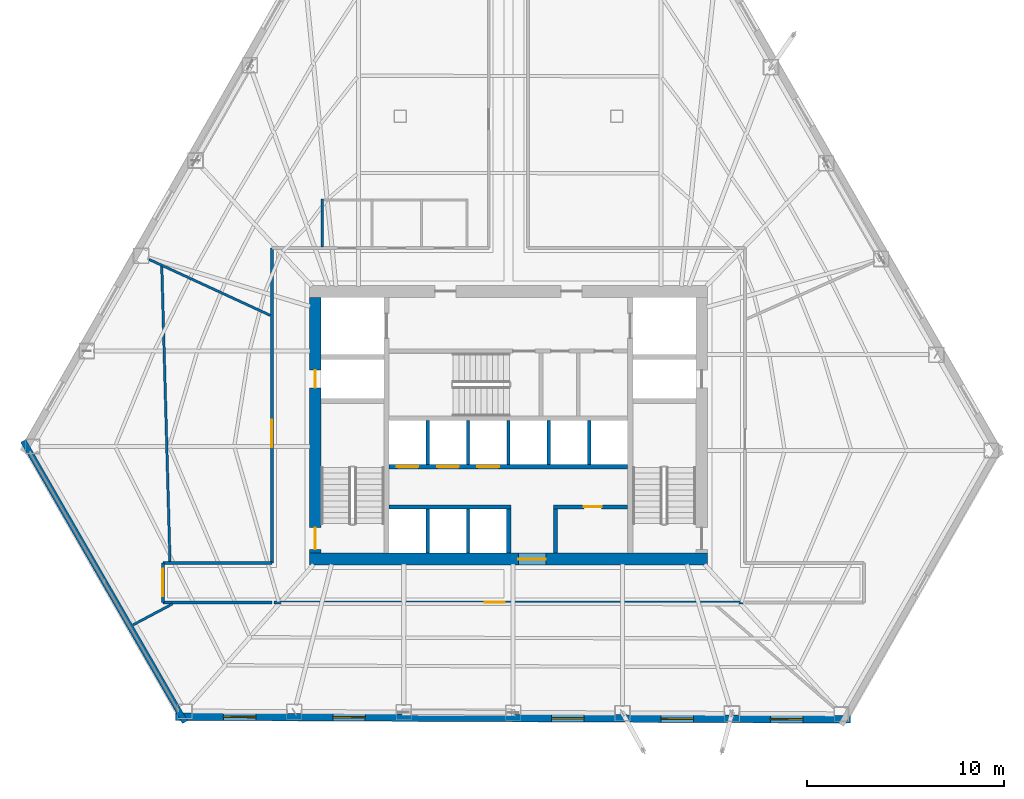
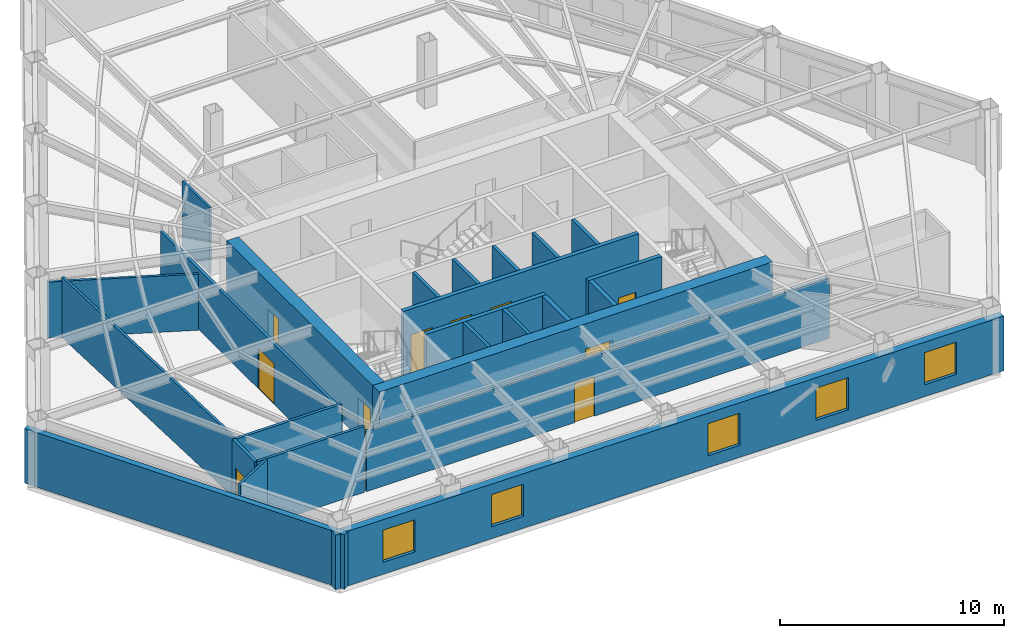
# One storey, part 9 of 13: 25 walls, 10 doors, 5 windows, 15 openings.
"""IFC4 building model written with IfcOpenShell, lengths in metres."""

from ifc_helpers import new_model, si_unit, direction, frame, frame_2d, origin, place, context, subcontext, project, spatial, rectangle, extrude, material, layer, layer_set, type_object, element, fill, save


model = new_model("IFC4")

# Units and contexts
model_context = context("Model", 3, precision=1e-05, world=origin(), true_north=direction((0.0, 1.0)))
body_context = subcontext(model_context, "Body", "Model", "MODEL_VIEW")
ifc_project = project(units=[si_unit("LENGTHUNIT", "METRE"), si_unit("AREAUNIT", "SQUARE_METRE"), si_unit("VOLUMEUNIT", "CUBIC_METRE"), si_unit("PLANEANGLEUNIT", "RADIAN"), si_unit("MASSUNIT", "GRAM", prefix="KILO")], contexts=[model_context])

# Site, building, storey
site_placement = place(None, origin())
site = spatial("IfcSite", under=ifc_project, at=site_placement, CompositionType="ELEMENT")
building_placement = place(site_placement, origin())
building = spatial("IfcBuilding", under=site, at=building_placement, Name="Kavelnor Concourse Tower", CompositionType="ELEMENT")
storey_placement = place(building_placement, frame((0.0, 0.0, 36.800048828125)))
storey = spatial("IfcBuildingStorey", under=building, at=storey_placement, Name="L09", CompositionType="ELEMENT", Elevation=36.800048828125)

# Wall, opening, door
ifc_material_1 = material(Name="Concrete C60/75", Category="concrete")
ifc_layer_1 = layer(ifc_material_1, 0.60009765625, Name="Concrete C60/75")
ifc_layer_set_1 = layer_set([ifc_layer_1], Name="Concrete C60/75")
wall_type_1 = type_object("IfcWallType", Name="WL-CORE-Z1-600", PredefinedType="SOLIDWALL", material=ifc_layer_set_1)
wall_1_placement = place(storey_placement, frame((27.8798828125, 9.300048828125, 0.0), z_axis=(0.0, 0.0, 1.0), x_axis=(1.0, 0.0, 0.0)))
wall_1 = element("IfcWall", 1, at=wall_1_placement, inside=storey, type_object=wall_type_1, Name="L09 Central Core South Shear Wall", PredefinedType="SOLIDWALL", context=body_context, shape_type="SweptSolid", body=[
    extrude(rectangle(XDim=20.240234375, YDim=0.60009765625, at=frame_2d((10.1201171875, 0.0))), origin(), (0.0, 0.0, 1.0), 3.58984375),
])
opening_1_placement = place(wall_1_placement, frame((10.6201171875, 0.0, 0.0)))
opening_1 = element("IfcOpeningElement", 2, at=opening_1_placement, cuts=wall_1, Name="Opening SD-140", PredefinedType="OPENING", context=body_context, shape_type="SweptSolid", body=[
    extrude(rectangle(XDim=1.39990234375, YDim=2.199951171875, at=frame_2d((0.699951171875, 1.10009765625))), frame((0.0, 0.31005859375, 0.0), z_axis=(0.0, -1.0, 0.0), x_axis=(1.0, 0.0, 0.0)), (0.0, 0.0, 1.0), 0.6201171875),
])
ifc_material_2 = material(Name="Solid-core hardwood timber", Category="wood")
door_type_1 = type_object("IfcDoorType", Name="DR-SUITE-ENTRY-1400", OperationType="NOTDEFINED", PredefinedType="DOOR", material=ifc_material_2)
door_1_placement = place(opening_1_placement, origin())
door_1 = element("IfcDoor", 3, at=door_1_placement, inside=storey, type_object=door_type_1, Name="L09 Passenger Lift Lobby Entry Door", OperationType="SINGLE_SWING_RIGHT", OverallHeight=2.199951171875, OverallWidth=1.39990234375, PredefinedType="DOOR", context=body_context, shape_type="SweptSolid", body=[
    extrude(rectangle(XDim=1.39990234375, YDim=2.199951171875, at=frame_2d((0.699951171875, 1.10009765625))), frame((0.0, 0.02490234375, 0.0), z_axis=(0.0, -1.0, 0.0), x_axis=(1.0, 0.0, 0.0)), (0.0, 0.0, 1.0), 0.050048828125),
])
fill(opening_1, door_1)

# Wall, openings, doors
wall_2_placement = place(storey_placement, frame((28.179931640625, 9.60009765625, 0.0), z_axis=(0.0, 0.0, 1.0), x_axis=(0.0, 1.0, 0.0)))
wall_2 = element("IfcWall", 4, at=wall_2_placement, inside=storey, type_object=wall_type_1, Name="L09 Central Core West Shear Wall", PredefinedType="SOLIDWALL", context=body_context, shape_type="SweptSolid", body=[
    extrude(rectangle(XDim=13.0, YDim=0.60009765625, at=frame_2d((6.5, 0.0))), origin(), (0.0, 0.0, 1.0), 3.58984375),
])
opening_2_placement = place(wall_2_placement, frame((0.199951171875, 0.0, 0.0)))
opening_2 = element("IfcOpeningElement", 5, at=opening_2_placement, cuts=wall_2, Name="Opening FD-110", PredefinedType="OPENING", context=body_context, shape_type="SweptSolid", body=[
    extrude(rectangle(XDim=1.10009765625, YDim=2.14990234375, at=frame_2d((0.550048828125, 1.074951171875))), frame((0.0, 0.31005859375, 0.0), z_axis=(0.0, -1.0, 0.0), x_axis=(1.0, 0.0, 0.0)), (0.0, 0.0, 1.0), 0.6201171875),
])
opening_3_placement = place(wall_2_placement, frame((8.39990234375, 0.0, 0.0)))
opening_3 = element("IfcOpeningElement", 6, at=opening_3_placement, cuts=wall_2, Name="Opening FD-090", PredefinedType="OPENING", context=body_context, shape_type="SweptSolid", body=[
    extrude(rectangle(XDim=0.89990234375, YDim=2.10009765625, at=frame_2d((0.449951171875, 1.050048828125))), frame((0.0, 0.31005859375, 0.0), z_axis=(0.0, -1.0, 0.0), x_axis=(1.0, 0.0, 0.0)), (0.0, 0.0, 1.0), 0.6201171875),
])
ifc_material_3 = material(Name="Steel Grade 350", Category="steel")
door_type_2 = type_object("IfcDoorType", Name="DR-RISER-FIRE-900", OperationType="NOTDEFINED", PredefinedType="DOOR", material=ifc_material_3)
door_2_placement = place(opening_3_placement, origin())
door_2 = element("IfcDoor", 7, at=door_2_placement, inside=storey, type_object=door_type_2, Name="L09 West Riser Access Door", OperationType="SINGLE_SWING_RIGHT", OverallHeight=2.10009765625, OverallWidth=0.89990234375, PredefinedType="DOOR", context=body_context, shape_type="SweptSolid", body=[
    extrude(rectangle(XDim=0.89990234375, YDim=2.10009765625, at=frame_2d((0.449951171875, 1.050048828125))), frame((0.0, 0.02490234375, 0.0), z_axis=(0.0, -1.0, 0.0), x_axis=(1.0, 0.0, 0.0)), (0.0, 0.0, 1.0), 0.050048828125),
])
fill(opening_3, door_2)
door_type_3 = type_object("IfcDoorType", Name="DR-STAIR-FIRE-1100", OperationType="NOTDEFINED", PredefinedType="DOOR", material=ifc_material_3)
door_3_placement = place(opening_2_placement, origin())
door_3 = element("IfcDoor", 8, at=door_3_placement, inside=storey, type_object=door_type_3, Name="L09 Stair ST1 Fire Door", OperationType="SINGLE_SWING_LEFT", OverallHeight=2.14990234375, OverallWidth=1.10009765625, PredefinedType="DOOR", context=body_context, shape_type="SweptSolid", body=[
    extrude(rectangle(XDim=1.10009765625, YDim=2.14990234375, at=frame_2d((0.550048828125, 1.074951171875))), frame((0.0, 0.02490234375, 0.0), z_axis=(0.0, -1.0, 0.0), x_axis=(1.0, 0.0, 0.0)), (0.0, 0.0, 1.0), 0.050048828125),
])
fill(opening_2, door_3)

# Wall
ifc_material_4 = material(Name="Buff ironspot clay face brick masonry", Category="masonry")
ifc_layer_2 = layer(ifc_material_4, 0.300048828125, Name="Buff ironspot clay face brick masonry")
ifc_layer_set_2 = layer_set([ifc_layer_2], Name="Buff ironspot clay face brick masonry")
wall_type_2 = type_object("IfcWallType", Name="WL-EXT-BUFF-BRICK-FOLD-300", PredefinedType="STANDARD", material=ifc_layer_set_2)
wall_3_placement = place(storey_placement, frame((21.563720703125, 1.01611328125, 0.0), z_axis=(0.0, 0.0, 1.0), x_axis=(-0.49869007713, 0.866780368359, 0.0)))
element("IfcWall", 9, at=wall_3_placement, inside=storey, type_object=wall_type_2, Name="L09 Exterior Brick Facade Wall E2", PredefinedType="STANDARD", context=body_context, shape_type="SweptSolid", body=[
    extrude(rectangle(XDim=16.486083984375, YDim=0.300048828125, at=frame_2d((8.2431640625, 0.0))), origin(), (0.0, 0.0, 1.0), 2.969970703125),
])

# Wall, openings, windows
ifc_material_5 = material(Name="Red-ochre clay face brick masonry", Category="masonry")
ifc_layer_3 = layer(ifc_material_5, 0.3798828125, Name="Red-ochre clay face brick masonry")
ifc_layer_set_3 = layer_set([ifc_layer_3], Name="Red-ochre clay face brick masonry")
wall_type_3 = type_object("IfcWallType", Name="WL-EXT-RED-BRICK-PIER-380", PredefinedType="STANDARD", material=ifc_layer_set_3)
wall_4_placement = place(storey_placement, frame((55.392578125, 1.15283203125, 0.0), z_axis=(0.0, 0.0, 1.0), x_axis=(-0.999991365452, 0.004155601268, 0.0)))
wall_4 = element("IfcWall", 10, at=wall_4_placement, inside=storey, type_object=wall_type_3, Name="L09 Exterior Brick Facade Wall E3", PredefinedType="STANDARD", context=body_context, shape_type="SweptSolid", body=[
    extrude(rectangle(XDim=34.309814453125, YDim=0.3798828125, at=frame_2d((17.15478515625, 0.0))), origin(), (0.0, 0.0, 1.0), 2.969970703125),
])
opening_4_placement = place(wall_4_placement, frame((30.229248046875, 0.0, 0.64990234375)))
opening_4 = element("IfcOpeningElement", 11, at=opening_4_placement, cuts=wall_4, Name="Opening W-01", PredefinedType="OPENING", context=body_context, shape_type="SweptSolid", body=[
    extrude(rectangle(XDim=1.64990234375, YDim=1.75, at=frame_2d((0.824951171875, 0.875))), frame((0.0, 0.199951171875, 0.0), z_axis=(0.0, -1.0, 0.0), x_axis=(1.0, 0.0, 0.0)), (0.0, 0.0, 1.0), 0.39990234375),
])
opening_5_placement = place(wall_4_placement, frame((24.67041015625, 0.0, 0.64990234375)))
opening_5 = element("IfcOpeningElement", 12, at=opening_5_placement, cuts=wall_4, Name="Opening W-01", PredefinedType="OPENING", context=body_context, shape_type="SweptSolid", body=[
    extrude(rectangle(XDim=1.64990234375, YDim=1.75, at=frame_2d((0.824951171875, 0.875))), frame((0.0, 0.199951171875, 0.0), z_axis=(0.0, -1.0, 0.0), x_axis=(1.0, 0.0, 0.0)), (0.0, 0.0, 1.0), 0.39990234375),
])
opening_6_placement = place(wall_4_placement, frame((13.552490234375, 0.0, 0.64990234375)))
opening_6 = element("IfcOpeningElement", 13, at=opening_6_placement, cuts=wall_4, Name="Opening W-01", PredefinedType="OPENING", context=body_context, shape_type="SweptSolid", body=[
    extrude(rectangle(XDim=1.64990234375, YDim=1.75, at=frame_2d((0.824951171875, 0.875))), frame((0.0, 0.199951171875, 0.0), z_axis=(0.0, -1.0, 0.0), x_axis=(1.0, 0.0, 0.0)), (0.0, 0.0, 1.0), 0.39990234375),
])
opening_7_placement = place(wall_4_placement, frame((7.99365234375, 0.0, 0.64990234375)))
opening_7 = element("IfcOpeningElement", 14, at=opening_7_placement, cuts=wall_4, Name="Opening W-01", PredefinedType="OPENING", context=body_context, shape_type="SweptSolid", body=[
    extrude(rectangle(XDim=1.64990234375, YDim=1.75, at=frame_2d((0.824951171875, 0.875))), frame((0.0, 0.199951171875, 0.0), z_axis=(0.0, -1.0, 0.0), x_axis=(1.0, 0.0, 0.0)), (0.0, 0.0, 1.0), 0.39990234375),
])
opening_8_placement = place(wall_4_placement, frame((2.434814453125, 0.0, 0.64990234375)))
opening_8 = element("IfcOpeningElement", 15, at=opening_8_placement, cuts=wall_4, Name="Opening W-01", PredefinedType="OPENING", context=body_context, shape_type="SweptSolid", body=[
    extrude(rectangle(XDim=1.64990234375, YDim=1.75, at=frame_2d((0.824951171875, 0.875))), frame((0.0, 0.199951171875, 0.0), z_axis=(0.0, -1.0, 0.0), x_axis=(1.0, 0.0, 0.0)), (0.0, 0.0, 1.0), 0.39990234375),
])
ifc_material_6 = material(Name="Double low-E argon insulated glazing", Category="glass")
window_type = type_object("IfcWindowType", Name="WIN-PIER-Z1-1800", PartitioningType="SINGLE_PANEL", PredefinedType="WINDOW", material=ifc_material_6)
window_1_placement = place(opening_4_placement, origin())
window_1 = element("IfcWindow", 16, at=window_1_placement, inside=storey, type_object=window_type, Name="L09 Deep-Set Brick Pier Window F1-B0", OverallHeight=1.75, OverallWidth=1.64990234375, PartitioningType="SINGLE_PANEL", PredefinedType="WINDOW", context=body_context, shape_type="SweptSolid", body=[
    extrude(rectangle(XDim=1.64990234375, YDim=1.75, at=frame_2d((0.824951171875, 0.875))), frame((0.0, 0.030029296875, 0.0), z_axis=(0.0, -1.0, 0.0), x_axis=(1.0, 0.0, 0.0)), (0.0, 0.0, 1.0), 0.06005859375),
])
fill(opening_4, window_1)
window_2_placement = place(opening_5_placement, origin())
window_2 = element("IfcWindow", 17, at=window_2_placement, inside=storey, type_object=window_type, Name="L09 Deep-Set Brick Pier Window F1-B1", OverallHeight=1.75, OverallWidth=1.64990234375, PartitioningType="SINGLE_PANEL", PredefinedType="WINDOW", context=body_context, shape_type="SweptSolid", body=[
    extrude(rectangle(XDim=1.64990234375, YDim=1.75, at=frame_2d((0.824951171875, 0.875))), frame((0.0, 0.030029296875, 0.0), z_axis=(0.0, -1.0, 0.0), x_axis=(1.0, 0.0, 0.0)), (0.0, 0.0, 1.0), 0.06005859375),
])
fill(opening_5, window_2)
window_3_placement = place(opening_6_placement, origin())
window_3 = element("IfcWindow", 18, at=window_3_placement, inside=storey, type_object=window_type, Name="L09 Deep-Set Brick Pier Window F1-B3", OverallHeight=1.75, OverallWidth=1.64990234375, PartitioningType="SINGLE_PANEL", PredefinedType="WINDOW", context=body_context, shape_type="SweptSolid", body=[
    extrude(rectangle(XDim=1.64990234375, YDim=1.75, at=frame_2d((0.824951171875, 0.875))), frame((0.0, 0.030029296875, 0.0), z_axis=(0.0, -1.0, 0.0), x_axis=(1.0, 0.0, 0.0)), (0.0, 0.0, 1.0), 0.06005859375),
])
fill(opening_6, window_3)
window_4_placement = place(opening_7_placement, origin())
window_4 = element("IfcWindow", 19, at=window_4_placement, inside=storey, type_object=window_type, Name="L09 Deep-Set Brick Pier Window F1-B4", OverallHeight=1.75, OverallWidth=1.64990234375, PartitioningType="SINGLE_PANEL", PredefinedType="WINDOW", context=body_context, shape_type="SweptSolid", body=[
    extrude(rectangle(XDim=1.64990234375, YDim=1.75, at=frame_2d((0.824951171875, 0.875))), frame((0.0, 0.030029296875, 0.0), z_axis=(0.0, -1.0, 0.0), x_axis=(1.0, 0.0, 0.0)), (0.0, 0.0, 1.0), 0.06005859375),
])
fill(opening_7, window_4)
window_5_placement = place(opening_8_placement, origin())
window_5 = element("IfcWindow", 20, at=window_5_placement, inside=storey, type_object=window_type, Name="L09 Deep-Set Brick Pier Window F1-B5", OverallHeight=1.75, OverallWidth=1.64990234375, PartitioningType="SINGLE_PANEL", PredefinedType="WINDOW", context=body_context, shape_type="SweptSolid", body=[
    extrude(rectangle(XDim=1.64990234375, YDim=1.75, at=frame_2d((0.824951171875, 0.875))), frame((0.0, 0.030029296875, 0.0), z_axis=(0.0, -1.0, 0.0), x_axis=(1.0, 0.0, 0.0)), (0.0, 0.0, 1.0), 0.06005859375),
])
fill(opening_8, window_5)

# Wall
ifc_material_7 = material(Name="Gypsum plasterboard on light-gauge steel studs", Category="steel")
ifc_layer_4 = layer(ifc_material_7, 0.14501953125, Name="Gypsum plasterboard on light-gauge steel studs")
ifc_layer_set_4 = layer_set([ifc_layer_4], Name="Gypsum plasterboard on light-gauge steel studs")
wall_type_4 = type_object("IfcWallType", Name="WL-INT-CORR-145", PredefinedType="PARTITIONING", material=ifc_layer_set_4)
wall_5_placement = place(storey_placement, frame((20.443115234375, 9.10009765625, 0.0), z_axis=(0.0, 0.0, 1.0), x_axis=(1.0, 0.0, 0.0)))
element("IfcWall", 21, at=wall_5_placement, inside=storey, type_object=wall_type_4, Name="L09 Corridor Wall WL-L09-CR-01", PredefinedType="PARTITIONING", context=body_context, shape_type="SweptSolid", body=[
    extrude(rectangle(XDim=5.536865234375, YDim=0.14501953125, at=frame_2d((2.7685546875, 0.0))), origin(), (0.0, 0.0, 1.0), 3.58984375),
])

# Wall, opening, door
wall_6_placement = place(storey_placement, frame((25.97998046875, 9.10009765625, 0.0), z_axis=(0.0, 0.0, 1.0), x_axis=(0.0, 1.0, 0.0)))
wall_6 = element("IfcWall", 22, at=wall_6_placement, inside=storey, type_object=wall_type_4, Name="L09 Corridor Wall WL-L09-CR-02", PredefinedType="PARTITIONING", context=body_context, shape_type="SweptSolid", body=[
    extrude(rectangle(XDim=16.0, YDim=0.14501953125, at=frame_2d((8.0, 0.0))), origin(), (0.0, 0.0, 1.0), 3.27783203125),
])
opening_9_placement = place(wall_6_placement, frame((5.875, 0.0, 0.0)))
opening_9 = element("IfcOpeningElement", 23, at=opening_9_placement, cuts=wall_6, Name="Opening SD-140", PredefinedType="OPENING", context=body_context, shape_type="SweptSolid", body=[
    extrude(rectangle(XDim=1.39990234375, YDim=2.199951171875, at=frame_2d((0.699951171875, 1.10009765625))), frame((0.0, 0.08251953125, 0.0), z_axis=(0.0, -1.0, 0.0), x_axis=(1.0, 0.0, 0.0)), (0.0, 0.0, 1.0), 0.1650390625),
])
door_4_placement = place(opening_9_placement, origin())
door_4 = element("IfcDoor", 24, at=door_4_placement, inside=storey, type_object=door_type_1, Name="L09 Executive Dining Room 02 Door", OperationType="SINGLE_SWING_RIGHT", OverallHeight=2.199951171875, OverallWidth=1.39990234375, PredefinedType="DOOR", context=body_context, shape_type="SweptSolid", body=[
    extrude(rectangle(XDim=1.39990234375, YDim=2.199951171875, at=frame_2d((0.699951171875, 1.10009765625))), frame((0.0, 0.02490234375, 0.0), z_axis=(0.0, -1.0, 0.0), x_axis=(1.0, 0.0, 0.0)), (0.0, 0.0, 1.0), 0.050048828125),
])
fill(opening_9, door_4)

wall_7_placement = place(storey_placement, frame((49.919921875, 7.10009765625, 0.0), z_axis=(0.0, 0.0, 1.0), x_axis=(-1.0, 0.0, 0.0)))
wall_7 = element("IfcWall", 25, at=wall_7_placement, inside=storey, type_object=wall_type_4, Name="L09 Corridor Wall WL-L09-CR-12", PredefinedType="PARTITIONING", context=body_context, shape_type="SweptSolid", body=[
    extrude(rectangle(XDim=23.83984375, YDim=0.14501953125, at=frame_2d((11.919921875, 0.0))), origin(), (0.0, 0.0, 1.0), 3.27783203125),
])
opening_10_placement = place(wall_7_placement, frame((12.102294921875, 0.0, 0.0)))
opening_10 = element("IfcOpeningElement", 26, at=opening_10_placement, cuts=wall_7, Name="Opening MD-102", PredefinedType="OPENING", context=body_context, shape_type="SweptSolid", body=[
    extrude(rectangle(XDim=1.02001953125, YDim=2.14990234375, at=frame_2d((0.510009765625, 1.074951171875))), frame((0.0, 0.08251953125, 0.0), z_axis=(0.0, -1.0, 0.0), x_axis=(1.0, 0.0, 0.0)), (0.0, 0.0, 1.0), 0.1650390625),
])
ifc_material_8 = material(Name="Acoustic glazed timber frame", Category="wood")
door_type_4 = type_object("IfcDoorType", Name="DR-MEETING-1020", OperationType="NOTDEFINED", PredefinedType="DOOR", material=ifc_material_8)
door_5_placement = place(opening_10_placement, origin())
door_5 = element("IfcDoor", 27, at=door_5_placement, inside=storey, type_object=door_type_4, Name="L09 Client Boardroom 04 Door", OperationType="SINGLE_SWING_RIGHT", OverallHeight=2.14990234375, OverallWidth=1.02001953125, PredefinedType="DOOR", context=body_context, shape_type="SweptSolid", body=[
    extrude(rectangle(XDim=1.02001953125, YDim=2.14990234375, at=frame_2d((0.510009765625, 1.074951171875))), frame((0.0, 0.02490234375, 0.0), z_axis=(0.0, -1.0, 0.0), x_axis=(1.0, 0.0, 0.0)), (0.0, 0.0, 1.0), 0.050048828125),
])
fill(opening_10, door_5)

# Wall
wall_8_placement = place(storey_placement, frame((25.97998046875, 7.10009765625, 0.0), z_axis=(0.0, 0.0, 1.0), x_axis=(-1.0, 0.0, 0.0)))
element("IfcWall", 28, at=wall_8_placement, inside=storey, type_object=wall_type_4, Name="L09 Corridor Wall WL-L09-CR-13", PredefinedType="PARTITIONING", context=body_context, shape_type="SweptSolid", body=[
    extrude(rectangle(XDim=5.536865234375, YDim=0.14501953125, at=frame_2d((2.7685546875, 0.0))), origin(), (0.0, 0.0, 1.0), 3.58984375),
])

# Wall, opening, door
wall_9_placement = place(storey_placement, frame((20.443115234375, 7.10009765625, 0.0), z_axis=(0.0, 0.0, 1.0), x_axis=(0.0, 1.0, 0.0)))
wall_9 = element("IfcWall", 29, at=wall_9_placement, inside=storey, type_object=wall_type_4, Name="L09 Corridor Wall WL-L09-CR-14", PredefinedType="PARTITIONING", context=body_context, shape_type="SweptSolid", body=[
    extrude(rectangle(XDim=2.0, YDim=0.14501953125, at=frame_2d((1.0, 0.0))), origin(), (0.0, 0.0, 1.0), 3.58984375),
])
opening_11_placement = place(wall_9_placement, frame((0.300048828125, 0.0, 0.0)))
opening_11 = element("IfcOpeningElement", 30, at=opening_11_placement, cuts=wall_9, Name="Opening SD-140", PredefinedType="OPENING", context=body_context, shape_type="SweptSolid", body=[
    extrude(rectangle(XDim=1.39990234375, YDim=2.199951171875, at=frame_2d((0.699951171875, 1.10009765625))), frame((0.0, 0.08251953125, 0.0), z_axis=(0.0, -1.0, 0.0), x_axis=(1.0, 0.0, 0.0)), (0.0, 0.0, 1.0), 0.1650390625),
])
door_6_placement = place(opening_11_placement, origin())
door_6 = element("IfcDoor", 31, at=door_6_placement, inside=storey, type_object=door_type_1, Name="L09 Workplace Open Office 03 Door", OperationType="SINGLE_SWING_LEFT", OverallHeight=2.199951171875, OverallWidth=1.39990234375, PredefinedType="DOOR", context=body_context, shape_type="SweptSolid", body=[
    extrude(rectangle(XDim=1.39990234375, YDim=2.199951171875, at=frame_2d((0.699951171875, 1.10009765625))), frame((0.0, 0.02490234375, 0.0), z_axis=(0.0, -1.0, 0.0), x_axis=(1.0, 0.0, 0.0)), (0.0, 0.0, 1.0), 0.050048828125),
])
fill(opening_11, door_6)

# Walls
ifc_layer_5 = layer(ifc_material_7, 0.1650390625, Name="Gypsum plasterboard on light-gauge steel studs")
ifc_layer_set_5 = layer_set([ifc_layer_5], Name="Gypsum plasterboard on light-gauge steel studs")
wall_type_5 = type_object("IfcWallType", Name="WL-INT-FIRE-165", PredefinedType="PARTITIONING", material=ifc_layer_set_5)
for number, where, z_axis, x_axis, name in (
    (32, (33.89990234375, 9.60009765625, 0.0), (0.0, 0.0, 1.0), (0.0, 1.0, 0.0), "L09 Lift Shaft Divider LP7"),
    (33, (35.949951171875, 9.60009765625, 0.0), (0.0, 0.0, 1.0), (0.0, 1.0, 0.0), "L09 Lift Shaft Divider LP8"),
    (34, (33.89990234375, 14.10009765625, 0.0), (0.0, 0.0, 1.0), (0.0, 1.0, 0.0), "L09 Lift Shaft Divider LP1"),
    (35, (35.949951171875, 14.10009765625, 0.0), (0.0, 0.0, 1.0), (0.0, 1.0, 0.0), "L09 Lift Shaft Divider LP2"),
    (36, (38.0, 14.10009765625, 0.0), (0.0, 0.0, 1.0), (0.0, 1.0, 0.0), "L09 Lift Shaft Divider LP3"),
    (37, (40.050048828125, 14.10009765625, 0.0), (0.0, 0.0, 1.0), (0.0, 1.0, 0.0), "L09 Lift Shaft Divider LP4"),
    (38, (42.10009765625, 14.10009765625, 0.0), (0.0, 0.0, 1.0), (0.0, 1.0, 0.0), "L09 Lift Shaft Divider LP5"),
):
    element("IfcWall", number, at=place(storey_placement, frame(where, z_axis=z_axis, x_axis=x_axis)), inside=storey, type_object=wall_type_5, Name=name, PredefinedType="PARTITIONING", context=body_context, shape_type="SweptSolid", body=[
        extrude(rectangle(XDim=2.239990234375, YDim=0.1650390625, at=frame_2d((1.1201171875, 0.0))), origin(), (0.0, 0.0, 1.0), 3.58984375),
    ])
ifc_layer_6 = layer(ifc_material_7, 0.125, Name="Gypsum plasterboard on light-gauge steel studs")
ifc_layer_set_6 = layer_set([ifc_layer_6], Name="Gypsum plasterboard on light-gauge steel studs")
wall_type_6 = type_object("IfcWallType", Name="WL-INT-SUITE-125", PredefinedType="PARTITIONING", material=ifc_layer_set_6)
wall_10_placement = place(storey_placement, frame((25.8994140625, 21.684326171875, 0.0), z_axis=(0.0, 0.0, 1.0), x_axis=(-0.907982557846, 0.419007964898, 0.0)))
element("IfcWall", 39, at=wall_10_placement, inside=storey, type_object=wall_type_6, Name="L09 Radial Suite Partition 02", PredefinedType="PARTITIONING", context=body_context, shape_type="SweptSolid", body=[
    extrude(rectangle(XDim=6.783447265625, YDim=0.125, at=frame_2d((3.3916015625, 0.0))), origin(), (0.0, 0.0, 1.0), 3.056884765625),
])
wall_11_placement = place(storey_placement, frame((20.921875, 7.01953125, 0.0), z_axis=(0.0, 0.0, 1.0), x_axis=(-0.882952292077, -0.469462724736, 0.0)))
element("IfcWall", 40, at=wall_11_placement, inside=storey, type_object=wall_type_6, Name="L09 Radial Suite Partition 03", PredefinedType="PARTITIONING", context=body_context, shape_type="SweptSolid", body=[
    extrude(rectangle(XDim=2.263671875, YDim=0.125, at=frame_2d((1.1318359375, 0.0))), origin(), (0.0, 0.0, 1.0), 3.58984375),
])
wall_12_placement = place(storey_placement, frame((20.381591796875, 24.214111328125, 0.0), z_axis=(0.0, 0.0, 1.0), x_axis=(0.027791398398, -0.999613744491, 0.0)))
element("IfcWall", 41, at=wall_12_placement, inside=storey, type_object=wall_type_6, Name="L09 Suite Subdivision Partition 02", PredefinedType="PARTITIONING", context=body_context, shape_type="SweptSolid", body=[
    extrude(rectangle(XDim=15.03955078125, YDim=0.125, at=frame_2d((7.519775390625, 0.0))), origin(), (0.0, 0.0, 1.0), 3.27783203125),
])
ifc_layer_7 = layer(ifc_material_7, 0.110107421875, Name="Gypsum plasterboard on light-gauge steel studs")
ifc_layer_set_7 = layer_set([ifc_layer_7], Name="Gypsum plasterboard on light-gauge steel studs")
wall_type_7 = type_object("IfcWallType", Name="WL-INT-WC-110", PredefinedType="PLUMBINGWALL", material=ifc_layer_set_7)
wall_13_placement = place(storey_placement, frame((28.5400390625, 25.169921875, 0.0), z_axis=(0.0, 0.0, 1.0), x_axis=(0.0, 1.0, 0.0)))
element("IfcWall", 42, at=wall_13_placement, inside=storey, type_object=wall_type_7, Name="L09 Sanitary Partition WL-L09-WC-W", PredefinedType="PLUMBINGWALL", context=body_context, shape_type="SweptSolid", body=[
    extrude(rectangle(XDim=2.440185546875, YDim=0.110107421875, at=frame_2d((1.22021484375, 0.0))), origin(), (0.0, 0.0, 1.0), 3.58984375),
])

# Wall, openings, doors
ifc_material_9 = material(Name="Concrete C50/60", Category="concrete")
ifc_layer_8 = layer(ifc_material_9, 0.219970703125, Name="Concrete C50/60")
ifc_layer_set_8 = layer_set([ifc_layer_8], Name="Concrete C50/60")
wall_type_8 = type_object("IfcWallType", Name="WL-SHAFT-220", PredefinedType="SOLIDWALL", material=ifc_layer_set_8)
wall_14_placement = place(storey_placement, frame((31.93994140625, 13.989990234375, 0.0), z_axis=(0.0, 0.0, 1.0), x_axis=(1.0, 0.0, 0.0)))
wall_14 = element("IfcWall", 43, at=wall_14_placement, inside=storey, type_object=wall_type_8, Name="L09 North Lift Row Shaft Wall", PredefinedType="SOLIDWALL", context=body_context, shape_type="SweptSolid", body=[
    extrude(rectangle(XDim=12.1201171875, YDim=0.219970703125, at=frame_2d((6.06005859375, 0.0))), origin(), (0.0, 0.0, 1.0), 3.58984375),
])
opening_12_placement = place(wall_14_placement, frame((0.385009765625, 0.0, 0.0)))
opening_12 = element("IfcOpeningElement", 44, at=opening_12_placement, cuts=wall_14, Name="Opening LD-110", PredefinedType="OPENING", context=body_context, shape_type="SweptSolid", body=[
    extrude(rectangle(XDim=1.10009765625, YDim=2.199951171875, at=frame_2d((0.550048828125, 1.10009765625))), frame((0.0, 0.1201171875, 0.0), z_axis=(0.0, -1.0, 0.0), x_axis=(1.0, 0.0, 0.0)), (0.0, 0.0, 1.0), 0.239990234375),
])
opening_13_placement = place(wall_14_placement, frame((2.43505859375, 0.0, 0.0)))
opening_13 = element("IfcOpeningElement", 45, at=opening_13_placement, cuts=wall_14, Name="Opening LD-110", PredefinedType="OPENING", context=body_context, shape_type="SweptSolid", body=[
    extrude(rectangle(XDim=1.10009765625, YDim=2.199951171875, at=frame_2d((0.550048828125, 1.10009765625))), frame((0.0, 0.1201171875, 0.0), z_axis=(0.0, -1.0, 0.0), x_axis=(1.0, 0.0, 0.0)), (0.0, 0.0, 1.0), 0.239990234375),
])
opening_14_placement = place(wall_14_placement, frame((4.485107421875, 0.0, 0.0)))
opening_14 = element("IfcOpeningElement", 46, at=opening_14_placement, cuts=wall_14, Name="Opening LD-110", PredefinedType="OPENING", context=body_context, shape_type="SweptSolid", body=[
    extrude(rectangle(XDim=1.10009765625, YDim=2.199951171875, at=frame_2d((0.550048828125, 1.10009765625))), frame((0.0, 0.1201171875, 0.0), z_axis=(0.0, -1.0, 0.0), x_axis=(1.0, 0.0, 0.0)), (0.0, 0.0, 1.0), 0.239990234375),
])
door_type_5 = type_object("IfcDoorType", Name="DR-LIFT-SLIDING-1100", OperationType="NOTDEFINED", PredefinedType="DOOR", material=ifc_material_3)
door_7_placement = place(opening_12_placement, origin())
door_7 = element("IfcDoor", 47, at=door_7_placement, inside=storey, type_object=door_type_5, Name="L09 Lift LP1 Landing Door", OperationType="DOUBLE_DOOR_SLIDING", OverallHeight=2.199951171875, OverallWidth=1.10009765625, PredefinedType="DOOR", context=body_context, shape_type="SweptSolid", body=[
    extrude(rectangle(XDim=1.10009765625, YDim=2.199951171875, at=frame_2d((0.550048828125, 1.10009765625))), frame((0.0, 0.02490234375, 0.0), z_axis=(0.0, -1.0, 0.0), x_axis=(1.0, 0.0, 0.0)), (0.0, 0.0, 1.0), 0.050048828125),
])
fill(opening_12, door_7)
door_8_placement = place(opening_13_placement, origin())
door_8 = element("IfcDoor", 48, at=door_8_placement, inside=storey, type_object=door_type_5, Name="L09 Lift LP2 Landing Door", OperationType="DOUBLE_DOOR_SLIDING", OverallHeight=2.199951171875, OverallWidth=1.10009765625, PredefinedType="DOOR", context=body_context, shape_type="SweptSolid", body=[
    extrude(rectangle(XDim=1.10009765625, YDim=2.199951171875, at=frame_2d((0.550048828125, 1.10009765625))), frame((0.0, 0.02490234375, 0.0), z_axis=(0.0, -1.0, 0.0), x_axis=(1.0, 0.0, 0.0)), (0.0, 0.0, 1.0), 0.050048828125),
])
fill(opening_13, door_8)
door_9_placement = place(opening_14_placement, origin())
door_9 = element("IfcDoor", 49, at=door_9_placement, inside=storey, type_object=door_type_5, Name="L09 Lift LP3 Landing Door", OperationType="DOUBLE_DOOR_SLIDING", OverallHeight=2.199951171875, OverallWidth=1.10009765625, PredefinedType="DOOR", context=body_context, shape_type="SweptSolid", body=[
    extrude(rectangle(XDim=1.10009765625, YDim=2.199951171875, at=frame_2d((0.550048828125, 1.10009765625))), frame((0.0, 0.02490234375, 0.0), z_axis=(0.0, -1.0, 0.0), x_axis=(1.0, 0.0, 0.0)), (0.0, 0.0, 1.0), 0.050048828125),
])
fill(opening_14, door_9)

# Wall
wall_15_placement = place(storey_placement, frame((31.93994140625, 11.949951171875, 0.0), z_axis=(0.0, 0.0, 1.0), x_axis=(1.0, 0.0, 0.0)))
element("IfcWall", 50, at=wall_15_placement, inside=storey, type_object=wall_type_8, Name="L09 High-Rise Lift Bank North Wall", PredefinedType="SOLIDWALL", context=body_context, shape_type="SweptSolid", body=[
    extrude(rectangle(XDim=6.18994140625, YDim=0.219970703125, at=frame_2d((3.094970703125, 0.0))), origin(), (0.0, 0.0, 1.0), 3.58984375),
])

# Wall, opening, door
wall_16_placement = place(storey_placement, frame((40.280029296875, 11.949951171875, 0.0), z_axis=(0.0, 0.0, 1.0), x_axis=(1.0, 0.0, 0.0)))
wall_16 = element("IfcWall", 51, at=wall_16_placement, inside=storey, type_object=wall_type_8, Name="L09 Core South Support North Wall", PredefinedType="SOLIDWALL", context=body_context, shape_type="SweptSolid", body=[
    extrude(rectangle(XDim=3.780029296875, YDim=0.219970703125, at=frame_2d((1.89013671875, 0.0))), origin(), (0.0, 0.0, 1.0), 3.58984375),
])
opening_15_placement = place(wall_16_placement, frame((1.550048828125, 0.0, 0.0)))
opening_15 = element("IfcOpeningElement", 52, at=opening_15_placement, cuts=wall_16, Name="Opening FD-090", PredefinedType="OPENING", context=body_context, shape_type="SweptSolid", body=[
    extrude(rectangle(XDim=0.89990234375, YDim=2.10009765625, at=frame_2d((0.449951171875, 1.050048828125))), frame((0.0, 0.1201171875, 0.0), z_axis=(0.0, -1.0, 0.0), x_axis=(1.0, 0.0, 0.0)), (0.0, 0.0, 1.0), 0.239990234375),
])
door_10_placement = place(opening_15_placement, origin())
door_10 = element("IfcDoor", 53, at=door_10_placement, inside=storey, type_object=door_type_2, Name="L09 BMS Metering Door", OperationType="SINGLE_SWING_RIGHT", OverallHeight=2.10009765625, OverallWidth=0.89990234375, PredefinedType="DOOR", context=body_context, shape_type="SweptSolid", body=[
    extrude(rectangle(XDim=0.89990234375, YDim=2.10009765625, at=frame_2d((0.449951171875, 1.050048828125))), frame((0.0, 0.02490234375, 0.0), z_axis=(0.0, -1.0, 0.0), x_axis=(1.0, 0.0, 0.0)), (0.0, 0.0, 1.0), 0.050048828125),
])
fill(opening_15, door_10)

# Walls
for number, where, z_axis, x_axis, name in (
    (54, (38.02001953125, 9.60009765625, 0.0), (0.0, 0.0, 1.0), (0.0, 1.0, 0.0), "L09 Lift Lobby Throat West Wall"),
    (55, (40.389892578125, 9.60009765625, 0.0), (0.0, 0.0, 1.0), (0.0, 1.0, 0.0), "L09 Lift Lobby Throat East Wall"),
):
    element("IfcWall", number, at=place(storey_placement, frame(where, z_axis=z_axis, x_axis=x_axis)), inside=storey, type_object=wall_type_8, Name=name, PredefinedType="SOLIDWALL", context=body_context, shape_type="SweptSolid", body=[
        extrude(rectangle(XDim=2.239990234375, YDim=0.219970703125, at=frame_2d((1.1201171875, 0.0))), origin(), (0.0, 0.0, 1.0), 3.58984375),
    ])

save(model, "model.ifc")
